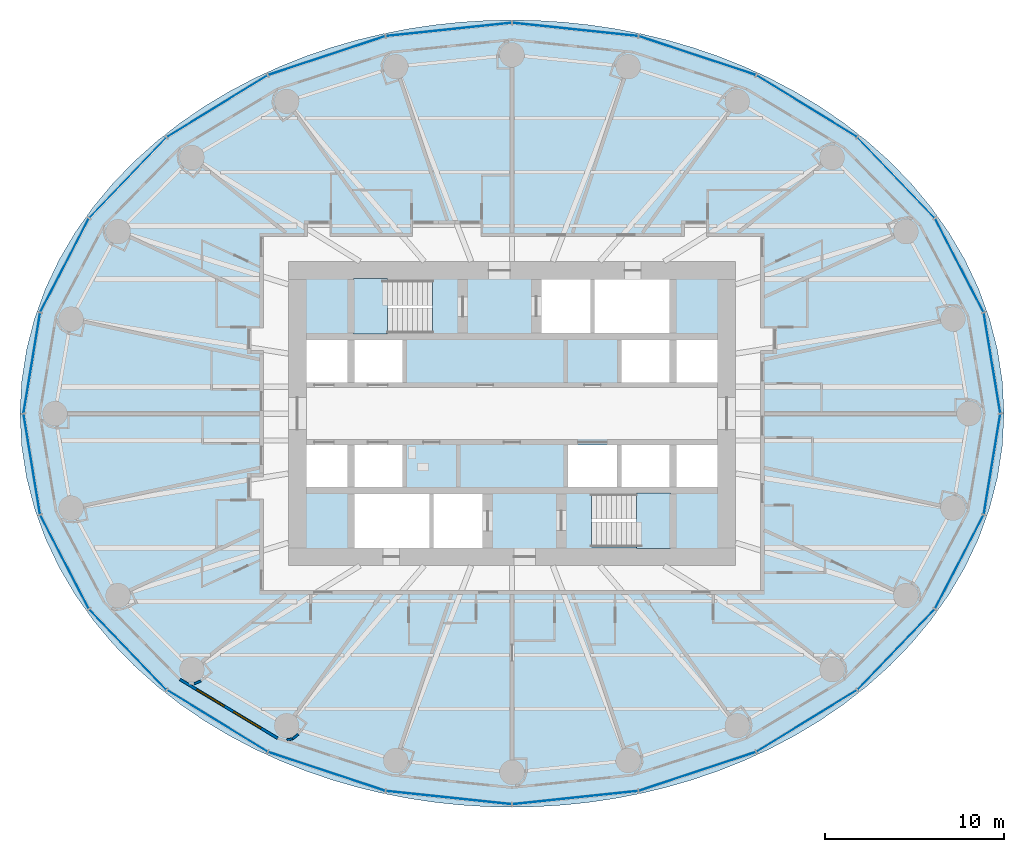
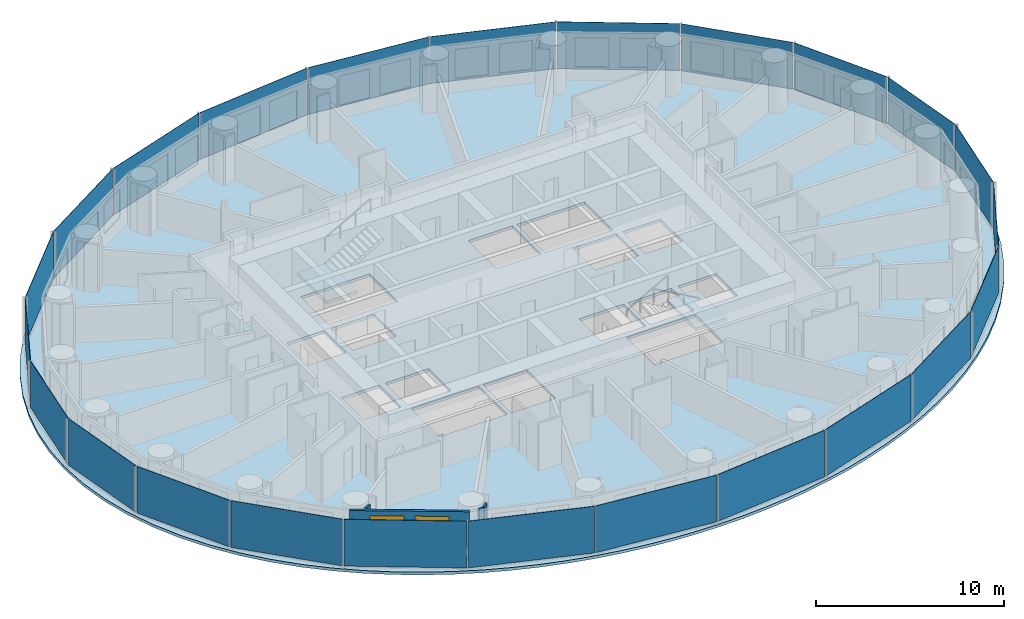
# One storey, part 5 of 16: 24 plates, 4 walls, 3 slabs, 2 windows, 2 openings, 6 elements without a shape of their own.
"""IFC4 building model written with IfcOpenShell, lengths in metres."""

import ifcopenshell
import ifcopenshell.guid

model = None  # the IFC model being written
_history = None  # IfcOwnerHistory: only IFC2X3 demands one
_inside = {}  # id of a spatial element -> (the spatial element, [elements in it])
_under = {}  # id of a project, library or spatial element -> (it, [spatial elements below it])
_declared = {}  # id of a project -> (the project, [libraries it declares])
_typed = {}  # id of a type object -> (the type object, [elements of that type])
_made_of = {}  # id of a material, layer set ... -> (it, [elements and type objects made of it])


def new_model(schema):
    """Start an empty IFC model of exactly this schema.

    Asked for "IFC4X3", IfcOpenShell would pick the latest addendum, in which some entities
    have other attributes; the version numbers below select the first issue.
    IFC2X3 requires an IfcOwnerHistory on every rooted entity: one is made here for all.
    """
    global model, _history
    if schema == "IFC4X3":
        model = ifcopenshell.file(schema_version=(4, 3, 0, 0))
    else:
        model = ifcopenshell.file(schema=schema)
    _inside.clear()
    _under.clear()
    _declared.clear()
    _typed.clear()
    _made_of.clear()
    _history = None
    if model.schema == "IFC2X3":
        org = make("IfcOrganization", Name="unknown")
        user = make(
            "IfcPersonAndOrganization",
            ThePerson=make("IfcPerson", FamilyName="unknown"),
            TheOrganization=org,
        )
        app = make(
            "IfcApplication",
            ApplicationDeveloper=org,
            Version="unknown",
            ApplicationFullName="unknown",
            ApplicationIdentifier="unknown",
        )
        _history = make(
            "IfcOwnerHistory",
            OwningUser=user,
            OwningApplication=app,
            ChangeAction="ADDED",
            CreationDate=0,
        )
    return model


def make(cls, **values):
    """One entity of the class cls with the attributes given. An attribute that is None is left unset."""
    return model.create_entity(
        cls, **{name: value for name, value in values.items() if value is not None}
    )


def rooted(cls, **values):
    """An entity with a GlobalId (a new one), such as an element, a storey or a relation."""
    return make(cls, GlobalId=ifcopenshell.guid.new(), OwnerHistory=_history, **values)


def si_unit(unit_type, name, prefix=None):
    """IfcSIUnit, for example si_unit("LENGTHUNIT", "METRE", prefix="MILLI")."""
    return make("IfcSIUnit", UnitType=unit_type, Prefix=prefix, Name=name)


def assignment(units):
    """IfcUnitAssignment: the units of a project."""
    return None if units is None else make("IfcUnitAssignment", Units=units)


def point(xyz):
    """IfcCartesianPoint."""
    return None if xyz is None else make("IfcCartesianPoint", Coordinates=xyz)


def direction(xyz):
    """IfcDirection."""
    return None if xyz is None else make("IfcDirection", DirectionRatios=xyz)


def frame(location, z_axis=None, x_axis=None):
    """IfcAxis2Placement3D, a coordinate frame: its origin and axes. An axis left out is left unset."""
    return make(
        "IfcAxis2Placement3D",
        Location=point(location),
        Axis=direction(z_axis),
        RefDirection=direction(x_axis),
    )


def frame_2d(location, x_axis=None):
    """IfcAxis2Placement2D, a coordinate frame in the plane: its origin and x axis."""
    return make(
        "IfcAxis2Placement2D", Location=point(location), RefDirection=direction(x_axis)
    )


def origin():
    """The frame at (0, 0, 0) with its axes left unset."""
    return frame((0.0, 0.0, 0.0))


def origin_2d():
    """The frame at (0, 0) in the plane with its x axis left unset."""
    return frame_2d((0.0, 0.0))


def place(relative_to, where):
    """IfcLocalPlacement: puts the frame where relative to a parent placement (None: the world)."""
    return make(
        "IfcLocalPlacement", PlacementRelTo=relative_to, RelativePlacement=where
    )


def context(
    kind, dimensions, precision=None, world=None, true_north=None, identifier=None
):
    """IfcGeometricRepresentationContext, for example the 3D "Model" context."""
    return make(
        "IfcGeometricRepresentationContext",
        ContextIdentifier=identifier,
        ContextType=kind,
        CoordinateSpaceDimension=dimensions,
        Precision=precision,
        WorldCoordinateSystem=world,
        TrueNorth=true_north,
    )


def subcontext(parent, identifier, kind, view, scale=None):
    """IfcGeometricRepresentationSubContext, for example "Body" below "Model"."""
    return make(
        "IfcGeometricRepresentationSubContext",
        ContextIdentifier=identifier,
        ContextType=kind,
        ParentContext=parent,
        TargetScale=scale,
        TargetView=view,
    )


def project(units=None, contexts=None):
    """IfcProject with its units and contexts."""
    return rooted(
        "IfcProject",
        Name="project",
        RepresentationContexts=contexts,
        UnitsInContext=assignment(units),
    )


def spatial(cls, under=None, at=None, **own):
    """A site, building, storey or space (cls), placed at a placement, below another one or the project."""
    s = rooted(cls, ObjectPlacement=at, **own)
    if under is not None:
        _under.setdefault(under.id(), (under, []))[1].append(s)
    return s


def polyline(points):
    """IfcPolyline through the points."""
    return make("IfcPolyline", Points=[point(p) for p in points])


def profile(cls, at=None, kind="AREA", **sizes):
    """A parametric profile (cls). Its sizes go by their IFC names, for example OverallWidth=200.0."""
    return make(cls, ProfileType=kind, Position=at, **sizes)


def rectangle(**sizes):
    """IfcRectangleProfileDef."""
    return profile("IfcRectangleProfileDef", **sizes)


def outline(outer, holes=None, kind="AREA"):
    """IfcArbitraryClosedProfileDef: a profile drawn as a closed curve; with holes, ...WithVoids."""
    if holes is None:
        return make("IfcArbitraryClosedProfileDef", ProfileType=kind, OuterCurve=outer)
    return make(
        "IfcArbitraryProfileDefWithVoids",
        ProfileType=kind,
        OuterCurve=outer,
        InnerCurves=holes,
    )


def extrude(swept, where, along, depth):
    """IfcExtrudedAreaSolid: the profile swept, set in the frame where, extruded along a direction by depth."""
    return make(
        "IfcExtrudedAreaSolid",
        SweptArea=swept,
        Position=where,
        ExtrudedDirection=direction(along),
        Depth=depth,
    )


def shape(context_of_items, identifier, shape_type, items):
    """IfcShapeRepresentation: the items that make up one representation, for example the "Body"."""
    return make(
        "IfcShapeRepresentation",
        ContextOfItems=context_of_items,
        RepresentationIdentifier=identifier,
        RepresentationType=shape_type,
        Items=items,
    )


def material(Name=None, Category=None):
    """IfcMaterial."""
    return make("IfcMaterial", Name=Name, Category=Category)


def layer(
    of_material, thickness, ventilated=None, Name=None, Category=None, Priority=None
):
    """IfcMaterialLayer: one layer of a wall or slab, of a material (None: an air gap)."""
    return make(
        "IfcMaterialLayer",
        Material=of_material,
        LayerThickness=thickness,
        IsVentilated=ventilated,
        Name=Name,
        Category=Category,
        Priority=Priority,
    )


def layer_set(layers, Name=None):
    """IfcMaterialLayerSet."""
    return make("IfcMaterialLayerSet", MaterialLayers=layers, LayerSetName=Name)


def made_of(thing, what):
    """Note that an element or type object is made of a material, layer set ...; save() writes the relation."""
    if what is not None:
        _made_of.setdefault(what.id(), (what, []))[1].append(thing)
    return thing


def type_object(cls, material=None, **own):
    """A type object (cls), such as IfcWallType, which elements share."""
    return made_of(rooted(cls, **own), material)


def element(
    cls,
    number,
    at=None,
    inside=None,
    cuts=None,
    type_object=None,
    material=None,
    context=None,
    identifier="Body",
    shape_type=None,
    held_by="IfcProductDefinitionShape",
    body=None,
    shapes=None,
    **own,
):
    """One element of the class cls, such as IfcWall. Its Tag is "e" and its number.

    at: its placement. inside: the storey or other place that contains it. cuts: it is an
    opening in that element (IfcRelVoidsElement). A single representation is given by context,
    identifier, shape_type and body (its items); several are given by shapes. held_by: the class
    of the entity that holds the representations. save() writes the other relations.
    """
    e = rooted(cls, Tag="e%d" % number, ObjectPlacement=at, **own)
    if body is not None:
        shapes = [shape(context, identifier, shape_type, body)]
    if shapes is not None:
        e.Representation = make(held_by, Representations=shapes)
    if inside is not None:
        _inside.setdefault(inside.id(), (inside, []))[1].append(e)
    if cuts is not None:
        rooted(
            "IfcRelVoidsElement", RelatingBuildingElement=cuts, RelatedOpeningElement=e
        )
    if type_object is not None:
        _typed.setdefault(type_object.id(), (type_object, []))[1].append(e)
    return made_of(e, material)


def fill(opening, filler):
    """IfcRelFillsElement: the door or window that sits in an opening."""
    return rooted(
        "IfcRelFillsElement",
        RelatingOpeningElement=opening,
        RelatedBuildingElement=filler,
    )


def aggregate(whole, parts):
    """IfcRelAggregates: a whole, such as a stair, and the parts it consists of."""
    return rooted("IfcRelAggregates", RelatingObject=whole, RelatedObjects=parts)


def save(model, path):
    """Write the relations noted so far, then the file.

    IfcRelAggregates (storeys below a building ...), IfcRelContainedInSpatialStructure (elements
    in a storey), IfcRelDefinesByType, IfcRelAssociatesMaterial and IfcRelDeclares: one each for
    every whole, place, type object, material and project.
    """
    for whole, parts in _under.values():
        aggregate(whole, parts)
    for where, things in _inside.values():
        rooted(
            "IfcRelContainedInSpatialStructure",
            RelatedElements=things,
            RelatingStructure=where,
        )
    for kind, things in _typed.values():
        rooted("IfcRelDefinesByType", RelatedObjects=things, RelatingType=kind)
    for what, things in _made_of.values():
        rooted("IfcRelAssociatesMaterial", RelatedObjects=things, RelatingMaterial=what)
    for by, libraries in _declared.values():
        rooted("IfcRelDeclares", RelatingContext=by, RelatedDefinitions=libraries)
    model.write(path)


model = new_model("IFC4")

# Units and contexts
model_context = context("Model", 3, precision=1e-05, world=origin(), true_north=direction((0.0, 1.0)))
body_context = subcontext(model_context, "Body", "Model", "MODEL_VIEW")
ifc_project = project(units=[si_unit("LENGTHUNIT", "METRE"), si_unit("AREAUNIT", "SQUARE_METRE"), si_unit("VOLUMEUNIT", "CUBIC_METRE"), si_unit("PLANEANGLEUNIT", "RADIAN"), si_unit("MASSUNIT", "GRAM", prefix="KILO")], contexts=[model_context])

# Site, building, storey
site_placement = place(None, origin())
site = spatial("IfcSite", under=ifc_project, at=site_placement, CompositionType="ELEMENT")
building_placement = place(site_placement, origin())
building = spatial("IfcBuilding", under=site, at=building_placement, Name="Hankou Lantern Tower", CompositionType="ELEMENT")
storey_placement = place(building_placement, frame((0.0, 0.0, 70.5)))
storey = spatial("IfcBuildingStorey", under=building, at=storey_placement, Name="L17", CompositionType="ELEMENT", Elevation=70.5)

# Curtain wall, plates
ifc_material_1 = material(Name="Glass, dark grey tinted laminated", Category="glass")
curtain_wall_type = type_object("IfcCurtainWallType", Name="CWA OUTER SKIN LOW-RISE", PredefinedType="USERDEFINED", material=ifc_material_1)
curtain_wall_1_placement = place(storey_placement, origin())
curtain_wall_1 = element("IfcCurtainWall", 1, at=curtain_wall_1_placement, inside=storey, type_object=curtain_wall_type, Name="CWA L17 OS1", ObjectType="OUTER SKIN LOW-RISE", PredefinedType="USERDEFINED")
ifc_material_2 = material(Name="Glass, dark grey tinted laminated", Category="glass")
ifc_layer_1 = layer(ifc_material_2, 0.02392578125)
ifc_layer_set_1 = layer_set([ifc_layer_1], Name="Glass, dark grey tinted laminated")
plate_type = type_object("IfcPlateType", Name="PN1 OUTER SKIN GLASS PANEL", PredefinedType="CURTAIN_PANEL", material=ifc_layer_set_1)
plate_1_placement = place(storey_placement, frame((26.8349609375, 2.826416015625, 0.080078125), z_axis=(0.0, 0.0, 1.0), x_axis=(-0.162381515188, 0.986728049427, 0.0)))
plate_1 = element("IfcPlate", 2, at=plate_1_placement, type_object=plate_type, Name="CWA glass panel 1", PredefinedType="CURTAIN_PANEL", context=body_context, shape_type="SweptSolid", body=[
    extrude(rectangle(XDim=5.648681640625, YDim=0.02392578125, at=origin_2d()), origin(), (0.0, 0.0, 1.0), 3.0400390625),
])
plate_2_placement = place(storey_placement, frame((25.006103515625, 8.286376953125, 0.080078125), z_axis=(0.0, 0.0, 1.0), x_axis=(-0.459791091957, 0.888027112062, 0.0)))
plate_2 = element("IfcPlate", 3, at=plate_2_placement, type_object=plate_type, Name="CWA glass panel 2", PredefinedType="CURTAIN_PANEL", context=body_context, shape_type="SweptSolid", body=[
    extrude(rectangle(XDim=5.8515625, YDim=0.02392578125, at=origin_2d()), origin(), (0.0, 0.0, 1.0), 3.0400390625),
])
plate_3_placement = place(storey_placement, frame((21.47314453125, 13.181640625, 0.080078125), z_axis=(0.0, 0.0, 1.0), x_axis=(-0.692215809936, 0.721690565599, 0.0)))
plate_3 = element("IfcPlate", 4, at=plate_3_placement, type_object=plate_type, Name="CWA glass panel 3", PredefinedType="CURTAIN_PANEL", context=body_context, shape_type="SweptSolid", body=[
    extrude(rectangle(XDim=6.1875, YDim=0.02392578125, at=origin_2d()), origin(), (0.0, 0.0, 1.0), 3.0400390625),
])
plate_4_placement = place(storey_placement, frame((16.47705078125, 17.1787109375, 0.080078125), z_axis=(0.0, 0.0, 1.0), x_axis=(-0.852237151549, 0.523155653242, 0.0)))
plate_4 = element("IfcPlate", 5, at=plate_4_placement, type_object=plate_type, Name="CWA glass panel 4", PredefinedType="CURTAIN_PANEL", context=body_context, shape_type="SweptSolid", body=[
    extrude(rectangle(XDim=6.554443359375, YDim=0.02392578125, at=origin_2d()), origin(), (0.0, 0.0, 1.0), 3.0400390625),
])
plate_5_placement = place(storey_placement, frame((10.35791015625, 20.0048828125, 0.080078125), z_axis=(0.0, 0.0, 1.0), x_axis=(-0.949240677293, 0.31455068999, 0.0)))
plate_5 = element("IfcPlate", 6, at=plate_5_placement, type_object=plate_type, Name="CWA glass panel 5", PredefinedType="CURTAIN_PANEL", context=body_context, shape_type="SweptSolid", body=[
    extrude(rectangle(XDim=6.856201171875, YDim=0.02392578125, at=origin_2d()), origin(), (0.0, 0.0, 1.0), 3.0400390625),
])
plate_6_placement = place(storey_placement, frame((3.532958984375, 21.468017578125, 0.080078125), z_axis=(0.0, 0.0, 1.0), x_axis=(-0.994499359107, 0.104742659579, 0.0)))
plate_6 = element("IfcPlate", 7, at=plate_6_placement, type_object=plate_type, Name="CWA glass panel 6", PredefinedType="CURTAIN_PANEL", context=body_context, shape_type="SweptSolid", body=[
    extrude(rectangle(XDim=7.02490234375, YDim=0.02392578125, at=origin_2d()), origin(), (0.0, 0.0, 1.0), 3.0400390625),
])
aggregate(curtain_wall_1, [plate_1, plate_2, plate_3, plate_4, plate_5, plate_6])

curtain_wall_2_placement = place(storey_placement, origin())
curtain_wall_2 = element("IfcCurtainWall", 8, at=curtain_wall_2_placement, inside=storey, type_object=curtain_wall_type, Name="CWA L17 OS2", ObjectType="OUTER SKIN LOW-RISE", PredefinedType="USERDEFINED")
plate_7_placement = place(storey_placement, frame((-3.532958984375, 21.468017578125, 0.080078125), z_axis=(0.0, 0.0, 1.0), x_axis=(-0.994499359107, -0.104742659579, 0.0)))
plate_7 = element("IfcPlate", 9, at=plate_7_placement, type_object=plate_type, Name="CWA glass panel 1", PredefinedType="CURTAIN_PANEL", context=body_context, shape_type="SweptSolid", body=[
    extrude(rectangle(XDim=7.02490234375, YDim=0.02392578125, at=origin_2d()), origin(), (0.0, 0.0, 1.0), 3.0400390625),
])
plate_8_placement = place(storey_placement, frame((-10.35791015625, 20.0048828125, 0.080078125), z_axis=(0.0, 0.0, 1.0), x_axis=(-0.949240677293, -0.31455068999, 0.0)))
plate_8 = element("IfcPlate", 10, at=plate_8_placement, type_object=plate_type, Name="CWA glass panel 2", PredefinedType="CURTAIN_PANEL", context=body_context, shape_type="SweptSolid", body=[
    extrude(rectangle(XDim=6.856201171875, YDim=0.02392578125, at=origin_2d()), origin(), (0.0, 0.0, 1.0), 3.0400390625),
])
plate_9_placement = place(storey_placement, frame((-16.47705078125, 17.1787109375, 0.080078125), z_axis=(0.0, 0.0, 1.0), x_axis=(-0.852237151549, -0.523155653242, 0.0)))
plate_9 = element("IfcPlate", 11, at=plate_9_placement, type_object=plate_type, Name="CWA glass panel 3", PredefinedType="CURTAIN_PANEL", context=body_context, shape_type="SweptSolid", body=[
    extrude(rectangle(XDim=6.554443359375, YDim=0.02392578125, at=origin_2d()), origin(), (0.0, 0.0, 1.0), 3.0400390625),
])
plate_10_placement = place(storey_placement, frame((-21.47314453125, 13.181640625, 0.080078125), z_axis=(0.0, 0.0, 1.0), x_axis=(-0.692215809936, -0.721690565599, 0.0)))
plate_10 = element("IfcPlate", 12, at=plate_10_placement, type_object=plate_type, Name="CWA glass panel 4", PredefinedType="CURTAIN_PANEL", context=body_context, shape_type="SweptSolid", body=[
    extrude(rectangle(XDim=6.1875, YDim=0.02392578125, at=origin_2d()), origin(), (0.0, 0.0, 1.0), 3.0400390625),
])
plate_11_placement = place(storey_placement, frame((-25.006103515625, 8.286376953125, 0.080078125), z_axis=(0.0, 0.0, 1.0), x_axis=(-0.459791091957, -0.888027112062, 0.0)))
plate_11 = element("IfcPlate", 13, at=plate_11_placement, type_object=plate_type, Name="CWA glass panel 5", PredefinedType="CURTAIN_PANEL", context=body_context, shape_type="SweptSolid", body=[
    extrude(rectangle(XDim=5.8515625, YDim=0.02392578125, at=origin_2d()), origin(), (0.0, 0.0, 1.0), 3.0400390625),
])
plate_12_placement = place(storey_placement, frame((-26.8349609375, 2.826416015625, 0.080078125), z_axis=(0.0, 0.0, 1.0), x_axis=(-0.162381515188, -0.986728049427, 0.0)))
plate_12 = element("IfcPlate", 14, at=plate_12_placement, type_object=plate_type, Name="CWA glass panel 6", PredefinedType="CURTAIN_PANEL", context=body_context, shape_type="SweptSolid", body=[
    extrude(rectangle(XDim=5.648681640625, YDim=0.02392578125, at=origin_2d()), origin(), (0.0, 0.0, 1.0), 3.0400390625),
])
aggregate(curtain_wall_2, [plate_7, plate_8, plate_9, plate_10, plate_11, plate_12])

curtain_wall_3_placement = place(storey_placement, origin())
curtain_wall_3 = element("IfcCurtainWall", 15, at=curtain_wall_3_placement, inside=storey, type_object=curtain_wall_type, Name="CWA L17 OS3", ObjectType="OUTER SKIN LOW-RISE", PredefinedType="USERDEFINED")
plate_13_placement = place(storey_placement, frame((-26.8349609375, -2.826416015625, 0.080078125), z_axis=(0.0, 0.0, 1.0), x_axis=(0.162381515188, -0.986728049427, 0.0)))
plate_13 = element("IfcPlate", 16, at=plate_13_placement, type_object=plate_type, Name="CWA glass panel 1", PredefinedType="CURTAIN_PANEL", context=body_context, shape_type="SweptSolid", body=[
    extrude(rectangle(XDim=5.648681640625, YDim=0.02392578125, at=origin_2d()), origin(), (0.0, 0.0, 1.0), 3.0400390625),
])
plate_14_placement = place(storey_placement, frame((-25.006103515625, -8.286376953125, 0.080078125), z_axis=(0.0, 0.0, 1.0), x_axis=(0.459791091957, -0.888027112062, 0.0)))
plate_14 = element("IfcPlate", 17, at=plate_14_placement, type_object=plate_type, Name="CWA glass panel 2", PredefinedType="CURTAIN_PANEL", context=body_context, shape_type="SweptSolid", body=[
    extrude(rectangle(XDim=5.8515625, YDim=0.02392578125, at=origin_2d()), origin(), (0.0, 0.0, 1.0), 3.0400390625),
])
plate_15_placement = place(storey_placement, frame((-21.47314453125, -13.181640625, 0.080078125), z_axis=(0.0, 0.0, 1.0), x_axis=(0.692215809936, -0.721690565599, 0.0)))
plate_15 = element("IfcPlate", 18, at=plate_15_placement, type_object=plate_type, Name="CWA glass panel 3", PredefinedType="CURTAIN_PANEL", context=body_context, shape_type="SweptSolid", body=[
    extrude(rectangle(XDim=6.1875, YDim=0.02392578125, at=origin_2d()), origin(), (0.0, 0.0, 1.0), 3.0400390625),
])
plate_16_placement = place(storey_placement, frame((-16.47705078125, -17.1787109375, 0.080078125), z_axis=(0.0, 0.0, 1.0), x_axis=(0.852237151549, -0.523155653242, 0.0)))
plate_16 = element("IfcPlate", 19, at=plate_16_placement, type_object=plate_type, Name="CWA glass panel 4", PredefinedType="CURTAIN_PANEL", context=body_context, shape_type="SweptSolid", body=[
    extrude(rectangle(XDim=6.554443359375, YDim=0.02392578125, at=origin_2d()), origin(), (0.0, 0.0, 1.0), 3.0400390625),
])
plate_17_placement = place(storey_placement, frame((-10.35791015625, -20.0048828125, 0.080078125), z_axis=(0.0, 0.0, 1.0), x_axis=(0.949240677293, -0.31455068999, 0.0)))
plate_17 = element("IfcPlate", 20, at=plate_17_placement, type_object=plate_type, Name="CWA glass panel 5", PredefinedType="CURTAIN_PANEL", context=body_context, shape_type="SweptSolid", body=[
    extrude(rectangle(XDim=6.856201171875, YDim=0.02392578125, at=origin_2d()), origin(), (0.0, 0.0, 1.0), 3.0400390625),
])
plate_18_placement = place(storey_placement, frame((-3.532958984375, -21.468017578125, 0.080078125), z_axis=(0.0, 0.0, 1.0), x_axis=(0.994499359107, -0.104742659579, 0.0)))
plate_18 = element("IfcPlate", 21, at=plate_18_placement, type_object=plate_type, Name="CWA glass panel 6", PredefinedType="CURTAIN_PANEL", context=body_context, shape_type="SweptSolid", body=[
    extrude(rectangle(XDim=7.02490234375, YDim=0.02392578125, at=origin_2d()), origin(), (0.0, 0.0, 1.0), 3.0400390625),
])
aggregate(curtain_wall_3, [plate_13, plate_14, plate_15, plate_16, plate_17, plate_18])

curtain_wall_4_placement = place(storey_placement, origin())
curtain_wall_4 = element("IfcCurtainWall", 22, at=curtain_wall_4_placement, inside=storey, type_object=curtain_wall_type, Name="CWA L17 OS4", ObjectType="OUTER SKIN LOW-RISE", PredefinedType="USERDEFINED")
plate_19_placement = place(storey_placement, frame((3.532958984375, -21.468017578125, 0.080078125), z_axis=(0.0, 0.0, 1.0), x_axis=(0.994499359107, 0.104742659579, 0.0)))
plate_19 = element("IfcPlate", 23, at=plate_19_placement, type_object=plate_type, Name="CWA glass panel 1", PredefinedType="CURTAIN_PANEL", context=body_context, shape_type="SweptSolid", body=[
    extrude(rectangle(XDim=7.02490234375, YDim=0.02392578125, at=origin_2d()), origin(), (0.0, 0.0, 1.0), 3.0400390625),
])
plate_20_placement = place(storey_placement, frame((10.35791015625, -20.0048828125, 0.080078125), z_axis=(0.0, 0.0, 1.0), x_axis=(0.949240677293, 0.31455068999, 0.0)))
plate_20 = element("IfcPlate", 24, at=plate_20_placement, type_object=plate_type, Name="CWA glass panel 2", PredefinedType="CURTAIN_PANEL", context=body_context, shape_type="SweptSolid", body=[
    extrude(rectangle(XDim=6.856201171875, YDim=0.02392578125, at=origin_2d()), origin(), (0.0, 0.0, 1.0), 3.0400390625),
])
plate_21_placement = place(storey_placement, frame((16.47705078125, -17.1787109375, 0.080078125), z_axis=(0.0, 0.0, 1.0), x_axis=(0.852237151549, 0.523155653242, 0.0)))
plate_21 = element("IfcPlate", 25, at=plate_21_placement, type_object=plate_type, Name="CWA glass panel 3", PredefinedType="CURTAIN_PANEL", context=body_context, shape_type="SweptSolid", body=[
    extrude(rectangle(XDim=6.554443359375, YDim=0.02392578125, at=origin_2d()), origin(), (0.0, 0.0, 1.0), 3.0400390625),
])
plate_22_placement = place(storey_placement, frame((21.47314453125, -13.181640625, 0.080078125), z_axis=(0.0, 0.0, 1.0), x_axis=(0.692215809936, 0.721690565599, 0.0)))
plate_22 = element("IfcPlate", 26, at=plate_22_placement, type_object=plate_type, Name="CWA glass panel 4", PredefinedType="CURTAIN_PANEL", context=body_context, shape_type="SweptSolid", body=[
    extrude(rectangle(XDim=6.1875, YDim=0.02392578125, at=origin_2d()), origin(), (0.0, 0.0, 1.0), 3.0400390625),
])
plate_23_placement = place(storey_placement, frame((25.006103515625, -8.286376953125, 0.080078125), z_axis=(0.0, 0.0, 1.0), x_axis=(0.459791091957, 0.888027112062, 0.0)))
plate_23 = element("IfcPlate", 27, at=plate_23_placement, type_object=plate_type, Name="CWA glass panel 5", PredefinedType="CURTAIN_PANEL", context=body_context, shape_type="SweptSolid", body=[
    extrude(rectangle(XDim=5.8515625, YDim=0.02392578125, at=origin_2d()), origin(), (0.0, 0.0, 1.0), 3.0400390625),
])
plate_24_placement = place(storey_placement, frame((26.8349609375, -2.826416015625, 0.080078125), z_axis=(0.0, 0.0, 1.0), x_axis=(0.162381515188, 0.986728049427, 0.0)))
plate_24 = element("IfcPlate", 28, at=plate_24_placement, type_object=plate_type, Name="CWA glass panel 6", PredefinedType="CURTAIN_PANEL", context=body_context, shape_type="SweptSolid", body=[
    extrude(rectangle(XDim=5.648681640625, YDim=0.02392578125, at=origin_2d()), origin(), (0.0, 0.0, 1.0), 3.0400390625),
])
aggregate(curtain_wall_4, [plate_19, plate_20, plate_21, plate_22, plate_23, plate_24])

# Slab
ifc_material_3 = material(Name="Concrete C50", Category="concrete")
ifc_layer_2 = layer(ifc_material_3, 0.179931640625)
ifc_layer_set_2 = layer_set([ifc_layer_2], Name="Concrete C50")
slab_type_1 = type_object("IfcSlabType", Name="S1 CONCRETE FLOOR SLAB 180", PredefinedType="FLOOR", material=ifc_layer_set_2)
slab_1_placement = place(storey_placement, frame((0.0, 0.0, -0.179931640625)))
element("IfcSlab", 29, at=slab_1_placement, inside=storey, type_object=slab_type_1, Name="Floor slab L17", PredefinedType="FLOOR", context=body_context, shape_type="SweptSolid", body=[
    extrude(outline(polyline([(27.5, 0.0), (27.408203125, 1.79638671875), (27.135009765625, 3.572509765625), (26.6875, 5.308349609375), (26.076171875, 6.987060546875), (25.3154296875, 8.593505859375), (24.420654296875, 10.115478515625), (23.40966796875, 11.54443359375), (22.29931640625, 12.87451171875), (21.1064453125, 14.102783203125), (19.846435546875, 15.228759765625), (18.533447265625, 16.25341796875), (17.17919921875, 17.17919921875), (15.794189453125, 18.009765625), (14.38671875, 18.749267578125), (12.964111328125, 19.402099609375), (11.53125, 19.972412109375), (10.09228515625, 20.46484375), (8.650146484375, 20.88330078125), (7.20703125, 21.23095703125), (5.763916015625, 21.51123046875), (4.32177734375, 21.7265625), (2.88037109375, 21.87890625), (1.43994140625, 21.9697265625), (0.0, 22.0), (-1.43994140625, 21.9697265625), (-2.88037109375, 21.87890625), (-4.32177734375, 21.7265625), (-5.763916015625, 21.51123046875), (-7.20703125, 21.23095703125), (-8.650146484375, 20.88330078125), (-10.09228515625, 20.46484375), (-11.53125, 19.972412109375), (-12.964111328125, 19.402099609375), (-14.38671875, 18.749267578125), (-15.794189453125, 18.009765625), (-17.17919921875, 17.17919921875), (-18.533447265625, 16.25341796875), (-19.846435546875, 15.228759765625), (-21.1064453125, 14.102783203125), (-22.29931640625, 12.87451171875), (-23.40966796875, 11.54443359375), (-24.420654296875, 10.115478515625), (-25.3154296875, 8.593505859375), (-26.076171875, 6.987060546875), (-26.6875, 5.308349609375), (-27.135009765625, 3.572509765625), (-27.408203125, 1.79638671875), (-27.5, 0.0), (-27.408203125, -1.79638671875), (-27.135009765625, -3.572509765625), (-26.6875, -5.308349609375), (-26.076171875, -6.987060546875), (-25.3154296875, -8.593505859375), (-24.420654296875, -10.115478515625), (-23.40966796875, -11.54443359375), (-22.29931640625, -12.87451171875), (-21.1064453125, -14.102783203125), (-19.846435546875, -15.228759765625), (-18.533447265625, -16.25341796875), (-17.17919921875, -17.17919921875), (-15.794189453125, -18.009765625), (-14.38671875, -18.749267578125), (-12.964111328125, -19.402099609375), (-11.53125, -19.972412109375), (-10.09228515625, -20.46484375), (-8.650146484375, -20.88330078125), (-7.20703125, -21.23095703125), (-5.763916015625, -21.51123046875), (-4.32177734375, -21.7265625), (-2.88037109375, -21.87890625), (-1.43994140625, -21.9697265625), (0.0, -22.0), (1.43994140625, -21.9697265625), (2.88037109375, -21.87890625), (4.32177734375, -21.7265625), (5.763916015625, -21.51123046875), (7.20703125, -21.23095703125), (8.650146484375, -20.88330078125), (10.09228515625, -20.46484375), (11.53125, -19.972412109375), (12.964111328125, -19.402099609375), (14.38671875, -18.749267578125), (15.794189453125, -18.009765625), (17.17919921875, -17.17919921875), (18.533447265625, -16.25341796875), (19.846435546875, -15.228759765625), (21.1064453125, -14.102783203125), (22.29931640625, -12.87451171875), (23.40966796875, -11.54443359375), (24.420654296875, -10.115478515625), (25.3154296875, -8.593505859375), (26.076171875, -6.987060546875), (26.6875, -5.308349609375), (27.135009765625, -3.572509765625), (27.408203125, -1.79638671875), (27.5, 0.0)]), holes=[polyline([(-11.5, 4.10009765625), (-9.199951171875, 4.10009765625), (-9.199951171875, 1.75), (-11.5, 1.75), (-11.5, 4.10009765625)]), polyline([(-8.800048828125, 4.10009765625), (-6.125, 4.10009765625), (-6.125, 1.75), (-8.800048828125, 1.75), (-8.800048828125, 4.10009765625)]), polyline([(6.125, 4.10009765625), (8.800048828125, 4.10009765625), (8.800048828125, 1.75), (6.125, 1.75), (6.125, 4.10009765625)]), polyline([(9.199951171875, 4.10009765625), (11.5, 4.10009765625), (11.5, 1.75), (9.199951171875, 1.75), (9.199951171875, 4.10009765625)]), polyline([(-11.5, -1.75), (-9.199951171875, -1.75), (-9.199951171875, -4.10009765625), (-11.5, -4.10009765625), (-11.5, -1.75)]), polyline([(-8.800048828125, -1.75), (-6.125, -1.75), (-6.125, -4.10009765625), (-8.800048828125, -4.10009765625), (-8.800048828125, -1.75)]), polyline([(3.125, -1.75), (5.875, -1.75), (5.875, -4.10009765625), (3.125, -4.10009765625), (3.125, -1.75)]), polyline([(6.125, -1.75), (8.800048828125, -1.75), (8.800048828125, -4.10009765625), (6.125, -4.10009765625), (6.125, -1.75)]), polyline([(9.199951171875, -1.75), (11.5, -1.75), (11.5, -4.10009765625), (9.199951171875, -4.10009765625), (9.199951171875, -1.75)]), polyline([(1.64990234375, 7.5), (4.375, 7.5), (4.375, 4.5), (1.64990234375, 4.5), (1.64990234375, 7.5)]), polyline([(-4.375, -4.5), (-1.64990234375, -4.5), (-1.64990234375, -7.5), (-4.375, -7.5), (-4.375, -4.5)]), polyline([(-8.699951171875, 7.449951171875), (-4.449951171875, 7.449951171875), (-4.449951171875, 4.5), (-8.699951171875, 4.5), (-8.699951171875, 7.449951171875)]), polyline([(4.449951171875, -4.5), (8.699951171875, -4.5), (8.699951171875, -7.449951171875), (4.449951171875, -7.449951171875), (4.449951171875, -4.5)]), polyline([(4.625, 7.5), (8.800048828125, 7.5), (8.800048828125, 4.5), (4.625, 4.5), (4.625, 7.5)]), polyline([(-8.800048828125, -4.5), (-4.625, -4.5), (-4.625, -7.5), (-8.800048828125, -7.5), (-8.800048828125, -4.5)])]), origin(), (0.0, 0.0, 1.0), 0.179931640625),
])

# Stair, slab
ifc_material_4 = material(Name="Concrete C40", Category="concrete")
stair_type = type_object("IfcStairType", Name="ST33 CORE STAIR 3300 RISE", PredefinedType="HALF_TURN_STAIR", material=ifc_material_4)
stair_1_placement = place(storey_placement, origin())
stair_1 = element("IfcStair", 30, at=stair_1_placement, inside=storey, type_object=stair_type, Name="Stair STA L17", PredefinedType="HALF_TURN_STAIR")
ifc_material_5 = material(Name="Concrete C40", Category="concrete")
ifc_layer_3 = layer(ifc_material_5, 0.199951171875)
ifc_layer_set_3 = layer_set([ifc_layer_3], Name="Concrete C40")
slab_type_2 = type_object("IfcSlabType", Name="SL1 STAIR LANDING 200", PredefinedType="LANDING", material=ifc_layer_set_3)
slab_2_placement = place(storey_placement, frame((0.0, 0.0, 1.371337890625)))
slab_2 = element("IfcSlab", 31, at=slab_2_placement, type_object=slab_type_2, Name="STA landing 1", PredefinedType="LANDING", context=body_context, shape_type="SweptSolid", body=[
    extrude(outline(polyline([(-8.85009765625, 4.449951171875), (-6.949951171875, 4.449951171875), (-6.949951171875, 7.550048828125), (-8.85009765625, 7.550048828125), (-8.85009765625, 4.449951171875)])), origin(), (0.0, 0.0, 1.0), 0.2001953125),
])
aggregate(stair_1, [slab_2])

stair_2_placement = place(storey_placement, origin())
stair_2 = element("IfcStair", 32, at=stair_2_placement, inside=storey, type_object=stair_type, Name="Stair STB L17", PredefinedType="HALF_TURN_STAIR")
slab_3_placement = place(storey_placement, frame((0.0, 0.0, 1.371337890625)))
slab_3 = element("IfcSlab", 33, at=slab_3_placement, type_object=slab_type_2, Name="STB landing 1", PredefinedType="LANDING", context=body_context, shape_type="SweptSolid", body=[
    extrude(outline(polyline([(8.85009765625, -4.449951171875), (6.949951171875, -4.449951171875), (6.949951171875, -7.550048828125), (8.85009765625, -7.550048828125), (8.85009765625, -4.449951171875)])), origin(), (0.0, 0.0, 1.0), 0.2001953125),
])
aggregate(stair_2, [slab_3])

# Wall, openings, windows
ifc_material_6 = material(Name="Aluminium spandrel panel on steel studs", Category="steel")
ifc_layer_4 = layer(ifc_material_6, 0.14990234375)
ifc_layer_set_4 = layer_set([ifc_layer_4], Name="Aluminium spandrel panel on steel studs")
wall_type_1 = type_object("IfcWallType", Name="EW1 INNER SKIN WALL 150", PredefinedType="ELEMENTEDWALL", material=ifc_layer_set_4)
wall_1_placement = place(storey_placement, frame((-18.569580078125, -14.855712890625, 0.0), z_axis=(0.0, 0.0, 1.0), x_axis=(0.856983180864, -0.515344377787, 0.0)))
wall_1 = element("IfcWall", 34, at=wall_1_placement, inside=storey, type_object=wall_type_1, Name="Inner skin R16-R17 L17", PredefinedType="ELEMENTEDWALL", context=body_context, shape_type="SweptSolid", body=[
    extrude(rectangle(XDim=6.386474609375, YDim=0.14990234375, at=frame_2d((3.193359375, 0.0))), origin(), (0.0, 0.0, 1.0), 3.1201171875),
])
opening_1_placement = place(wall_1_placement, frame((1.09326171875, 0.0, 0.89990234375)))
opening_1 = element("IfcOpeningElement", 35, at=opening_1_placement, cuts=wall_1, Name="Opening W1", PredefinedType="OPENING", context=body_context, shape_type="SweptSolid", body=[
    extrude(rectangle(XDim=1.800048828125, YDim=1.89990234375, at=frame_2d((0.89990234375, 0.949951171875))), frame((0.0, 0.0849609375, 0.0), z_axis=(0.0, -1.0, 0.0), x_axis=(1.0, 0.0, 0.0)), (0.0, 0.0, 1.0), 0.169921875),
])
opening_2_placement = place(wall_1_placement, frame((3.4931640625, 0.0, 0.89990234375)))
opening_2 = element("IfcOpeningElement", 36, at=opening_2_placement, cuts=wall_1, Name="Opening W1", PredefinedType="OPENING", context=body_context, shape_type="SweptSolid", body=[
    extrude(rectangle(XDim=1.800048828125, YDim=1.89990234375, at=frame_2d((0.89990234375, 0.949951171875))), frame((0.0, 0.0849609375, 0.0), z_axis=(0.0, -1.0, 0.0), x_axis=(1.0, 0.0, 0.0)), (0.0, 0.0, 1.0), 0.169921875),
])
ifc_material_7 = material(Name="Aluminium framed double glazed window", Category="aluminium")
window_type = type_object("IfcWindowType", Name="W1 GUEST ROOM WINDOW 1800X1900", PartitioningType="DOUBLE_PANEL_VERTICAL", PredefinedType="WINDOW", material=ifc_material_7)
window_1_placement = place(opening_1_placement, origin())
window_1 = element("IfcWindow", 37, at=window_1_placement, inside=storey, type_object=window_type, Name="Window R16.1 L17", OverallHeight=1.89990234375, OverallWidth=1.800048828125, PartitioningType="SINGLE_PANEL", PredefinedType="WINDOW", context=body_context, shape_type="SweptSolid", body=[
    extrude(rectangle(XDim=1.800048828125, YDim=1.89990234375, at=frame_2d((0.89990234375, 0.949951171875))), frame((0.0, 0.030029296875, 0.0), z_axis=(0.0, -1.0, 0.0), x_axis=(1.0, 0.0, 0.0)), (0.0, 0.0, 1.0), 0.06005859375),
])
fill(opening_1, window_1)
window_2_placement = place(opening_2_placement, origin())
window_2 = element("IfcWindow", 38, at=window_2_placement, inside=storey, type_object=window_type, Name="Window R16.2 L17", OverallHeight=1.89990234375, OverallWidth=1.800048828125, PartitioningType="SINGLE_PANEL", PredefinedType="WINDOW", context=body_context, shape_type="SweptSolid", body=[
    extrude(rectangle(XDim=1.800048828125, YDim=1.89990234375, at=frame_2d((0.89990234375, 0.949951171875))), frame((0.0, 0.030029296875, 0.0), z_axis=(0.0, -1.0, 0.0), x_axis=(1.0, 0.0, 0.0)), (0.0, 0.0, 1.0), 0.06005859375),
])
fill(opening_2, window_2)

# Walls
ifc_material_8 = material(Name="Masonry lightweight concrete block", Category="masonry")
ifc_layer_5 = layer(ifc_material_8, 0.1201171875)
ifc_layer_set_5 = layer_set([ifc_layer_5], Name="Masonry lightweight concrete block")
wall_type_2 = type_object("IfcWallType", Name="IW4 PARTITION 120", PredefinedType="PARTITIONING", material=ifc_layer_set_5)
wall_2_placement = place(storey_placement, frame((-17.38720703125, -14.94384765625, 0.0), z_axis=(0.0, 0.0, 1.0), x_axis=(-0.916036698064, -0.401094462441, 0.0)))
element("IfcWall", 39, at=wall_2_placement, inside=storey, type_object=wall_type_2, Name="Column casing R16", PredefinedType="PARTITIONING", context=body_context, shape_type="SweptSolid", body=[
    extrude(rectangle(XDim=0.418212890625, YDim=0.1201171875, at=frame_2d((0.208984375, 0.0))), origin(), (0.0, 0.0, 1.0), 3.1201171875),
])
wall_3_placement = place(storey_placement, frame((-11.93603515625, -17.9189453125, 0.0), z_axis=(0.0, 0.0, 1.0), x_axis=(-0.775023088441, -0.631932917629, 0.0)))
element("IfcWall", 40, at=wall_3_placement, inside=storey, type_object=wall_type_2, Name="Column casing R17", PredefinedType="PARTITIONING", context=body_context, shape_type="SweptSolid", body=[
    extrude(rectangle(XDim=0.41796875, YDim=0.1201171875, at=frame_2d((0.208984375, 0.0))), origin(), (0.0, 0.0, 1.0), 3.1201171875),
])
wall_4_placement = place(storey_placement, frame((-12.260009765625, -18.18310546875, 0.0), z_axis=(0.0, 0.0, 1.0), x_axis=(-0.987218661664, -0.159371622511, 0.0)))
element("IfcWall", 41, at=wall_4_placement, inside=storey, type_object=wall_type_2, Name="Column casing R17", PredefinedType="PARTITIONING", context=body_context, shape_type="SweptSolid", body=[
    extrude(rectangle(XDim=0.330810546875, YDim=0.1201171875, at=frame_2d((0.16552734375, 0.0))), origin(), (0.0, 0.0, 1.0), 3.1201171875),
])

save(model, "model.ifc")
